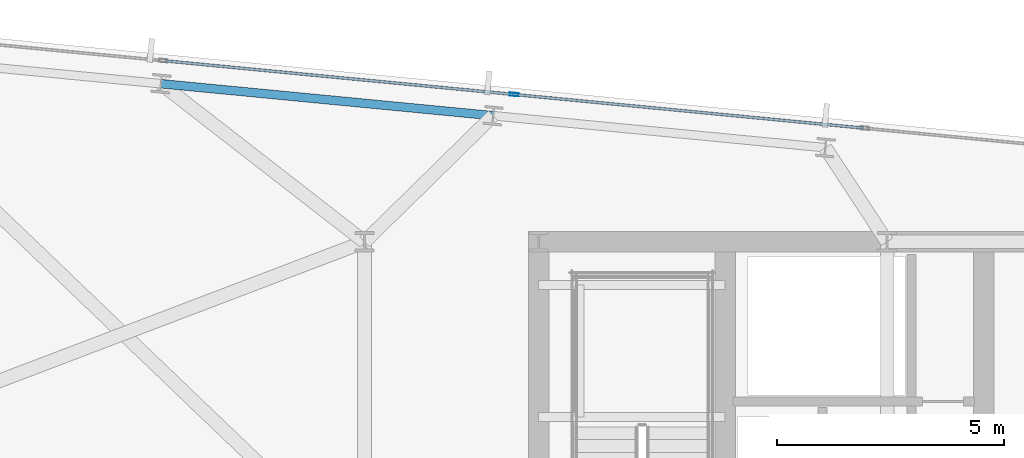
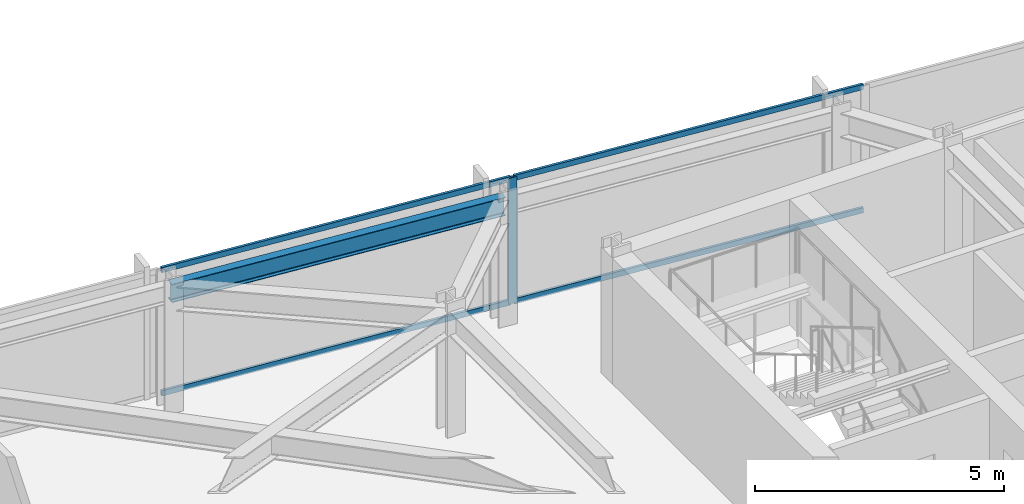
# One storey, part 25 of 37: 5 members, 1 beam, 1 element without a shape of its own.
"""IFC4 building model written with IfcOpenShell, lengths in metres."""

from ifc_helpers import new_model, si_unit, direction, frame, origin, origin_2d, place, context, subcontext, project, spatial, hollow_rectangle, i_section, extrude, material, material_profile, profile_set, type_object, element, aggregate, save


model = new_model("IFC4")

# Units and contexts
model_context = context("Model", 3, precision=1e-05, world=origin(), true_north=direction((0.0, 1.0)))
body_context = subcontext(model_context, "Body", "Model", "MODEL_VIEW")
ifc_project = project(units=[si_unit("LENGTHUNIT", "METRE"), si_unit("AREAUNIT", "SQUARE_METRE"), si_unit("VOLUMEUNIT", "CUBIC_METRE"), si_unit("PLANEANGLEUNIT", "RADIAN"), si_unit("MASSUNIT", "GRAM", prefix="KILO")], contexts=[model_context])

# Site, building, storey
site_placement = place(None, origin())
site = spatial("IfcSite", under=ifc_project, at=site_placement, CompositionType="ELEMENT")
building_placement = place(site_placement, origin())
building = spatial("IfcBuilding", under=site, at=building_placement, Name="Yelkora Congress Tower", CompositionType="ELEMENT")
storey_placement = place(building_placement, frame((0.0, 0.0, 158.89990234375)))
storey = spatial("IfcBuildingStorey", under=building, at=storey_placement, Name="L43", CompositionType="ELEMENT", Elevation=158.89990234375)

# Beam
ifc_material_1 = material(Name="Steel S355J2", Category="steel")
ifc_material_profile_1 = material_profile(ifc_material_1, i_section(OverallWidth=0.18994140625, OverallDepth=0.449951171875, WebThickness=0.009521484375, FlangeThickness=0.0146484375, FilletRadius=0.02099609375, at=origin_2d()), Name="IPE 450")
ifc_profile_set_1 = profile_set([ifc_material_profile_1], Name="Steel S355J2")
beam_type = type_object("IfcBeamType", Name="BM-SPAN-IPE450", PredefinedType="SPANDREL", material=ifc_profile_set_1)
beam_placement = place(storey_placement, frame((22.035400390625, 48.980224609375, 2.85498046875), z_axis=(-0.995393938538, 0.095869218844, 0.0), x_axis=(-0.095869218844, -0.995393938538, 0.0)))
element("IfcBeam", 1, at=beam_placement, inside=storey, type_object=beam_type, Name="L43 Perimeter Beam 14", PredefinedType="SPANDREL", context=body_context, shape_type="SweptSolid", body=[
    extrude(i_section(OverallWidth=0.18994140625, OverallDepth=0.449951171875, WebThickness=0.009521484375, FlangeThickness=0.0146484375, FilletRadius=0.02099609375, at=origin_2d()), origin(), (0.0, 0.0, 1.0), 7.357177734375),
])

# Curtain wall, members
ifc_material_2 = material(Name="Anodised aluminium and insulated glass", Category="aluminium")
curtain_wall_type = type_object("IfcCurtainWallType", Name="CW-SYS-B3", PredefinedType="NOTDEFINED", material=ifc_material_2)
curtain_wall_placement = place(storey_placement, origin())
curtain_wall = element("IfcCurtainWall", 2, at=curtain_wall_placement, inside=storey, type_object=curtain_wall_type, Name="L43 Unitised Curtain Wall 10 (1)", PredefinedType="NOTDEFINED")
ifc_material_3 = material(Name="Anodised aluminium 6063-T6", Category="aluminium")
ifc_material_profile_2 = material_profile(ifc_material_3, hollow_rectangle(XDim=0.070068359375, YDim=0.18994140625, WallThickness=0.00390625, at=origin_2d()), Name="ALU 70x190x4")
ifc_profile_set_2 = profile_set([ifc_material_profile_2], Name="Anodised aluminium 6063-T6")
member_type_1 = type_object("IfcMemberType", Name="MEM-ML-B3", PredefinedType="MULLION", material=ifc_profile_set_2)
member_1_placement = place(storey_placement, frame((22.496826171875, 49.4482421875, 0.0), z_axis=(0.0, 0.0, 1.0), x_axis=(0.095844761168, 0.995396293823, 0.0)))
member_1 = element("IfcMember", 3, at=member_1_placement, type_object=member_type_1, Name="CW-B3 mullion 3", PredefinedType="MULLION", context=body_context, shape_type="SweptSolid", body=[
    extrude(hollow_rectangle(XDim=0.070068359375, YDim=0.18994140625, WallThickness=0.00390625, at=origin_2d()), origin(), (0.0, 0.0, 1.0), 3.080078125),
])
ifc_material_profile_3 = material_profile(ifc_material_3, hollow_rectangle(XDim=0.06005859375, YDim=0.1298828125, WallThickness=0.00390625, at=origin_2d()), Name="ALU 60x130x4")
ifc_profile_set_3 = profile_set([ifc_material_profile_3], Name="Anodised aluminium 6063-T6")
member_type_2 = type_object("IfcMemberType", Name="MEM-TR-B3", PredefinedType="USERDEFINED", material=ifc_profile_set_3)
member_2_placement = place(storey_placement, frame((14.798095703125, 50.189697265625, 0.030029296875), z_axis=(0.995395016973, -0.095858020971, 0.0), x_axis=(0.095858020971, 0.995395016973, 0.0)))
member_2 = element("IfcMember", 4, at=member_2_placement, type_object=member_type_2, Name="CW-B3 transom 2.1", ObjectType="TRANSOM", PredefinedType="USERDEFINED", context=body_context, shape_type="SweptSolid", body=[
    extrude(hollow_rectangle(XDim=0.06005859375, YDim=0.1298828125, WallThickness=0.00390625, at=origin_2d()), origin(), (0.0, 0.0, 1.0), 7.69921875),
])
member_3_placement = place(storey_placement, frame((14.798095703125, 50.189697265625, 3.050048828125), z_axis=(0.995395016973, -0.095858020971, 0.0), x_axis=(0.095858020971, 0.995395016973, 0.0)))
member_3 = element("IfcMember", 5, at=member_3_placement, type_object=member_type_2, Name="CW-B3 transom 2.2", ObjectType="TRANSOM", PredefinedType="USERDEFINED", context=body_context, shape_type="SweptSolid", body=[
    extrude(hollow_rectangle(XDim=0.06005859375, YDim=0.1298828125, WallThickness=0.00390625, at=origin_2d()), origin(), (0.0, 0.0, 1.0), 7.69921875),
])
member_4_placement = place(storey_placement, frame((22.531494140625, 49.44482421875, 0.030029296875), z_axis=(0.995398333273, -0.095823578082, 0.0), x_axis=(0.095823578082, 0.995398333273, 0.0)))
member_4 = element("IfcMember", 6, at=member_4_placement, type_object=member_type_2, Name="CW-B3 transom 3.1", ObjectType="TRANSOM", PredefinedType="USERDEFINED", context=body_context, shape_type="SweptSolid", body=[
    extrude(hollow_rectangle(XDim=0.06005859375, YDim=0.1298828125, WallThickness=0.00390625, at=origin_2d()), origin(), (0.0, 0.0, 1.0), 7.699462890625),
])
member_5_placement = place(storey_placement, frame((22.531494140625, 49.44482421875, 3.050048828125), z_axis=(0.995398333273, -0.095823578082, 0.0), x_axis=(0.095823578082, 0.995398333273, 0.0)))
member_5 = element("IfcMember", 7, at=member_5_placement, type_object=member_type_2, Name="CW-B3 transom 3.2", ObjectType="TRANSOM", PredefinedType="USERDEFINED", context=body_context, shape_type="SweptSolid", body=[
    extrude(hollow_rectangle(XDim=0.06005859375, YDim=0.1298828125, WallThickness=0.00390625, at=origin_2d()), origin(), (0.0, 0.0, 1.0), 7.699462890625),
])
aggregate(curtain_wall, [member_1, member_2, member_3, member_4, member_5])

save(model, "model.ifc")
